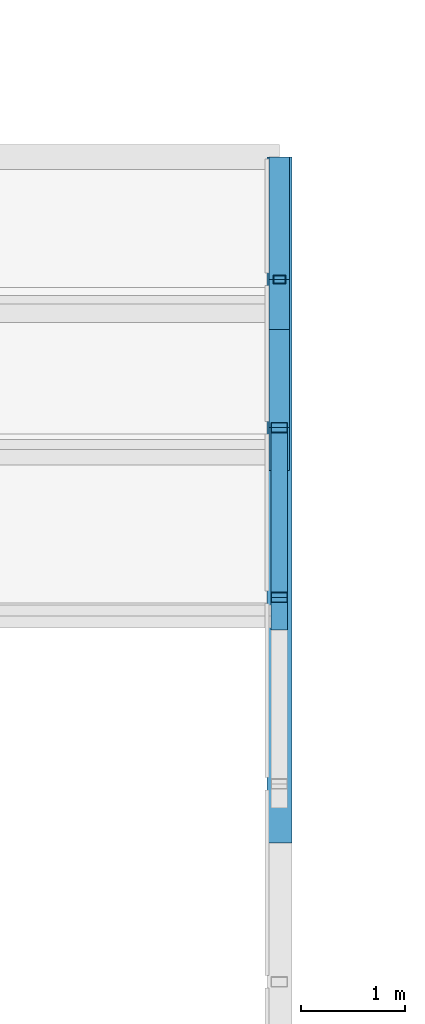
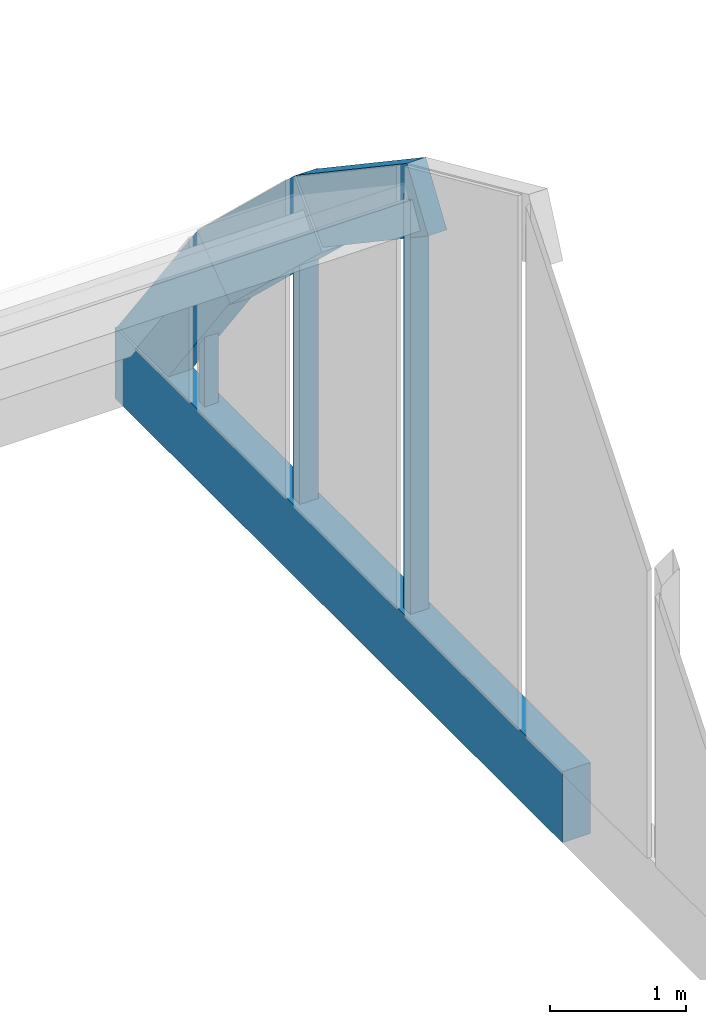
# One storey, part 31 of 102: 6 members, 1 beam.
"""IFC4 building model written with IfcOpenShell, lengths in metres."""

from ifc_helpers import new_model, si_unit, direction, frame, origin, origin_2d, place, context, subcontext, project, spatial, rectangle, hollow_rectangle, extrude, material, material_profile, profile_set, type_object, element, save


model = new_model("IFC4")

# Units and contexts
model_context = context("Model", 3, precision=1e-05, world=origin(), true_north=direction((0.0, 1.0)))
body_context = subcontext(model_context, "Body", "Model", "MODEL_VIEW")
ifc_project = project(units=[si_unit("LENGTHUNIT", "METRE"), si_unit("AREAUNIT", "SQUARE_METRE"), si_unit("VOLUMEUNIT", "CUBIC_METRE"), si_unit("PLANEANGLEUNIT", "RADIAN"), si_unit("MASSUNIT", "GRAM", prefix="KILO")], contexts=[model_context])

# Site, building, storey
site_placement = place(None, origin())
site = spatial("IfcSite", under=ifc_project, at=site_placement, CompositionType="ELEMENT")
building_placement = place(site_placement, origin())
building = spatial("IfcBuilding", under=site, at=building_placement, Name="Lantern Court Research Institute", CompositionType="ELEMENT")
storey_placement = place(building_placement, frame((0.0, 0.0, 9.89990234375)))
storey = spatial("IfcBuildingStorey", under=building, at=storey_placement, Name="L02", CompositionType="ELEMENT", Elevation=9.89990234375)

# Members
ifc_material_1 = material(Name="Structural steel S355", Category="steel")
ifc_material_profile_1 = material_profile(ifc_material_1, hollow_rectangle(XDim=0.1201171875, YDim=0.080078125, WallThickness=0.0048828125, at=origin_2d()), Name="Gable post RHS 120 x 80 x 5")
ifc_profile_set_1 = profile_set([ifc_material_profile_1], Name="Structural steel S355")
member_type_1 = type_object("IfcMemberType", Name="Gable post RHS 120 x 80 x 5", PredefinedType="POST", material=ifc_profile_set_1)
member_1_placement = place(storey_placement, frame((79.199951171875, 74.72265625, 0.64013671875), z_axis=(0.0, 0.0, 1.0), x_axis=(1.0, 0.0, 0.0)))
element("IfcMember", 1, at=member_1_placement, inside=storey, type_object=member_type_1, Name="Gable post", PredefinedType="POST", context=body_context, shape_type="SweptSolid", body=[
    extrude(hollow_rectangle(XDim=0.1201171875, YDim=0.080078125, WallThickness=0.0048828125, at=origin_2d()), origin(), (0.0, 0.0, 1.0), 1.277587890625),
])
ifc_material_2 = material(Name="Structural steel S355", Category="steel")
ifc_material_profile_2 = material_profile(ifc_material_2, hollow_rectangle(XDim=0.159912109375, YDim=0.10009765625, WallThickness=0.00634765625, at=origin_2d()), Name="Gable post RHS 160 x 100 x 6.3")
ifc_profile_set_2 = profile_set([ifc_material_profile_2], Name="Structural steel S355")
member_type_2 = type_object("IfcMemberType", Name="Gable post RHS 160 x 100 x 6.3", PredefinedType="POST", material=ifc_profile_set_2)
member_2_placement = place(storey_placement, frame((79.199951171875, 71.66259765625, 0.64013671875), z_axis=(0.0, 0.0, 1.0), x_axis=(1.0, 0.0, 0.0)))
element("IfcMember", 2, at=member_2_placement, inside=storey, type_object=member_type_2, Name="Gable post", PredefinedType="POST", context=body_context, shape_type="SweptSolid", body=[
    extrude(hollow_rectangle(XDim=0.159912109375, YDim=0.10009765625, WallThickness=0.00634765625, at=origin_2d()), origin(), (0.0, 0.0, 1.0), 3.732666015625),
])
member_3_placement = place(storey_placement, frame((79.199951171875, 73.296630859375, 0.64013671875), z_axis=(0.0, 0.0, 1.0), x_axis=(1.0, 0.0, 0.0)))
element("IfcMember", 3, at=member_3_placement, inside=storey, type_object=member_type_2, Name="Gable post", PredefinedType="POST", context=body_context, shape_type="SweptSolid", body=[
    extrude(hollow_rectangle(XDim=0.159912109375, YDim=0.10009765625, WallThickness=0.00634765625, at=origin_2d()), origin(), (0.0, 0.0, 1.0), 2.634765625),
])
ifc_material_3 = material(Name="Glued laminated timber GL28h", Category="wood")
ifc_material_profile_3 = material_profile(ifc_material_3, rectangle(XDim=0.159912109375, YDim=0.56005859375, at=origin_2d()), Name="Glulam haunch rib 160 x 560")
ifc_profile_set_3 = profile_set([ifc_material_profile_3], Name="Glued laminated timber GL28h")
member_type_3 = type_object("IfcMemberType", Name="Glulam haunch rib 160 x 560", PredefinedType="RAFTER", material=ifc_profile_set_3)
member_4_placement = place(storey_placement, frame((79.199951171875, 71.50634765625, 4.4404296875), z_axis=(0.0, 0.830041526637, -0.557701590511), x_axis=(-1.0, 0.0, 0.0)))
element("IfcMember", 4, at=member_4_placement, inside=storey, type_object=member_type_3, Name="Glulam rib", PredefinedType="RAFTER", context=body_context, shape_type="SweptSolid", body=[
    extrude(rectangle(XDim=0.159912109375, YDim=0.56005859375, at=origin_2d()), origin(), (0.0, 0.0, 1.0), 1.968505859375),
])

# Beam
ifc_material_4 = material(Name="Glued laminated timber GL28h", Category="wood")
ifc_material_profile_4 = material_profile(ifc_material_4, rectangle(XDim=0.239990234375, YDim=0.639892578125, at=origin_2d()), Name="Glulam ring beam 240 x 640")
ifc_profile_set_4 = profile_set([ifc_material_profile_4], Name="Glued laminated timber GL28h")
beam_type = type_object("IfcBeamType", Name="Glulam ring beam 240 x 640", PredefinedType="BEAM", material=ifc_profile_set_4)
beam_placement = place(storey_placement, frame((79.199951171875, 69.300048828125, 0.320068359375), z_axis=(0.0, 1.0, 0.0), x_axis=(-1.0, 0.0, 0.0)))
element("IfcBeam", 5, at=beam_placement, inside=storey, type_object=beam_type, Name="Glulam ring beam E", PredefinedType="BEAM", context=body_context, shape_type="SweptSolid", body=[
    extrude(rectangle(XDim=0.239990234375, YDim=0.639892578125, at=origin_2d()), origin(), (0.0, 0.0, 1.0), 6.599853515625),
])

# Members
ifc_material_5 = material(Name="Glued laminated timber GL28h", Category="wood")
ifc_material_profile_5 = material_profile(ifc_material_5, rectangle(XDim=0.199951171875, YDim=0.60009765625, at=origin_2d()), Name="Glulam springing rib 200 x 600")
ifc_profile_set_5 = profile_set([ifc_material_profile_5], Name="Glued laminated timber GL28h")
member_type_4 = type_object("IfcMemberType", Name="Glulam springing rib 200 x 600", PredefinedType="RAFTER", material=ifc_profile_set_5)
for number, where, z_axis, x_axis, name in (
    (6, (79.199951171875, 73.08984375, 3.357666015625), (0.0, 0.72437677669, -0.689404297486), (-1.0, 0.0, 0.0), "Glulam rib"),
    (7, (79.199951171875, 74.482177734375, 2.038330078125), (0.0, 0.598133156131, -0.801396735417), (-1.0, 0.0, 0.0), "Glulam rib"),
):
    element("IfcMember", number, at=place(storey_placement, frame(where, z_axis=z_axis, x_axis=x_axis)), inside=storey, type_object=member_type_4, Name=name, PredefinedType="RAFTER", context=body_context, shape_type="SweptSolid", body=[
        extrude(rectangle(XDim=0.199951171875, YDim=0.60009765625, at=origin_2d()), origin(), (0.0, 0.0, 1.0), 1.968505859375),
    ])

save(model, "model.ifc")
